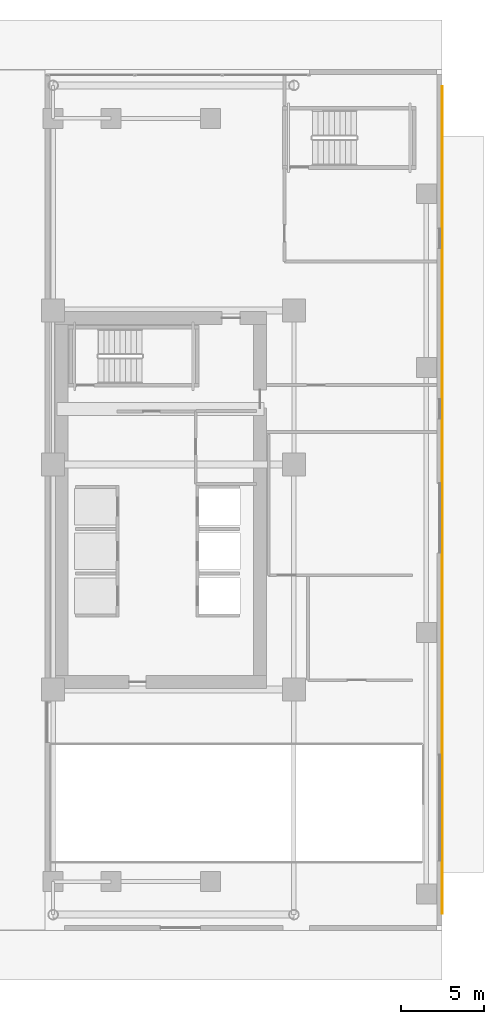
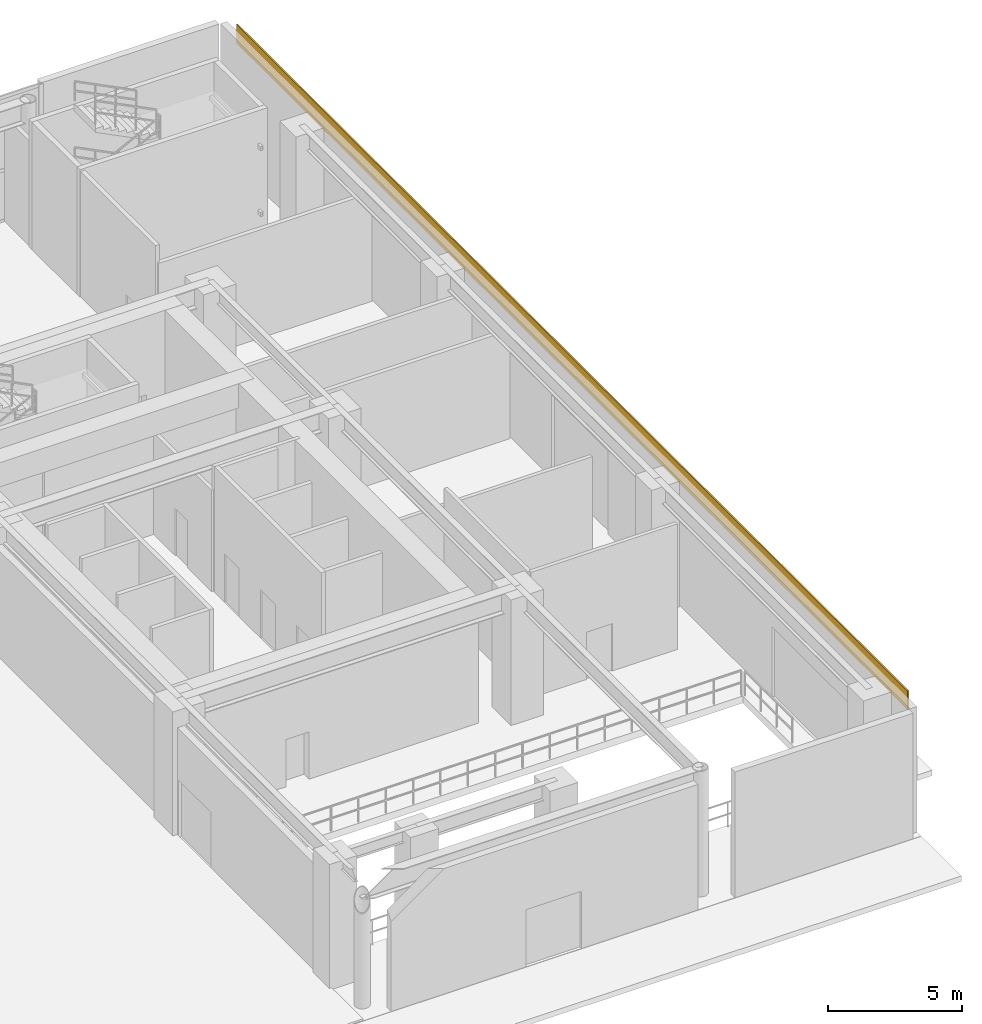
# One storey, part 16 of 17: 1 covering.
"""IFC4 building model written with IfcOpenShell, lengths in metres."""

from ifc_helpers import new_model, si_unit, direction, frame, origin, origin_2d, place, context, subcontext, project, spatial, rectangle, extrude, source, transform, mapped, material, layer, layer_set, type_object, element, save


model = new_model("IFC4")

# Units and contexts
model_context = context("Model", 3, precision=1e-05, world=origin(), true_north=direction((0.0, 1.0)))
body_context = subcontext(model_context, "Body", "Model", "MODEL_VIEW")
ifc_project = project(units=[si_unit("LENGTHUNIT", "METRE"), si_unit("AREAUNIT", "SQUARE_METRE"), si_unit("VOLUMEUNIT", "CUBIC_METRE"), si_unit("PLANEANGLEUNIT", "RADIAN"), si_unit("MASSUNIT", "GRAM", prefix="KILO")], contexts=[model_context])

# Site, building, storey
site_placement = place(None, origin())
site = spatial("IfcSite", under=ifc_project, at=site_placement, CompositionType="ELEMENT")
building_placement = place(site_placement, origin())
building = spatial("IfcBuilding", under=site, at=building_placement, Name="Ocotamira Hotel", CompositionType="ELEMENT")
storey_placement = place(building_placement, origin())
storey = spatial("IfcBuildingStorey", under=building, at=storey_placement, Name="L01", CompositionType="ELEMENT", Elevation=0.0)

# Covering
ifc_material = material(Name="Pale-metal champagne aluminium rainscreen cladding", Category="aluminium")
ifc_layer = layer(ifc_material, 0.06005859375)
ifc_layer_set = layer_set([ifc_layer], Name="Pale-metal champagne aluminium rainscreen cladding")
covering_type = type_object("IfcCoveringType", Name="COV-CLAD-60", PredefinedType="CLADDING", material=ifc_layer_set)
shared_shape = source(origin(), body_context, "Body", "SweptSolid", [
    extrude(rectangle(XDim=0.06005859375, YDim=50.0, at=origin_2d()), origin(), (0.0, 0.0, 1.0), 0.85009765625),
])
covering_placement = place(storey_placement, frame((64.02001953125, 26.0, 5.14990234375), z_axis=(0.0, 0.0, 1.0), x_axis=(1.0, 0.0, 0.0)))
element("IfcCovering", 1, at=covering_placement, inside=storey, type_object=covering_type, Name="L01 East Spandrel Cladding", PredefinedType="CLADDING", context=body_context, shape_type="MappedRepresentation", body=[
    mapped(shared_shape, transform((0.0, 0.0, 0.0), scale=1.0)),
])

save(model, "model.ifc")
